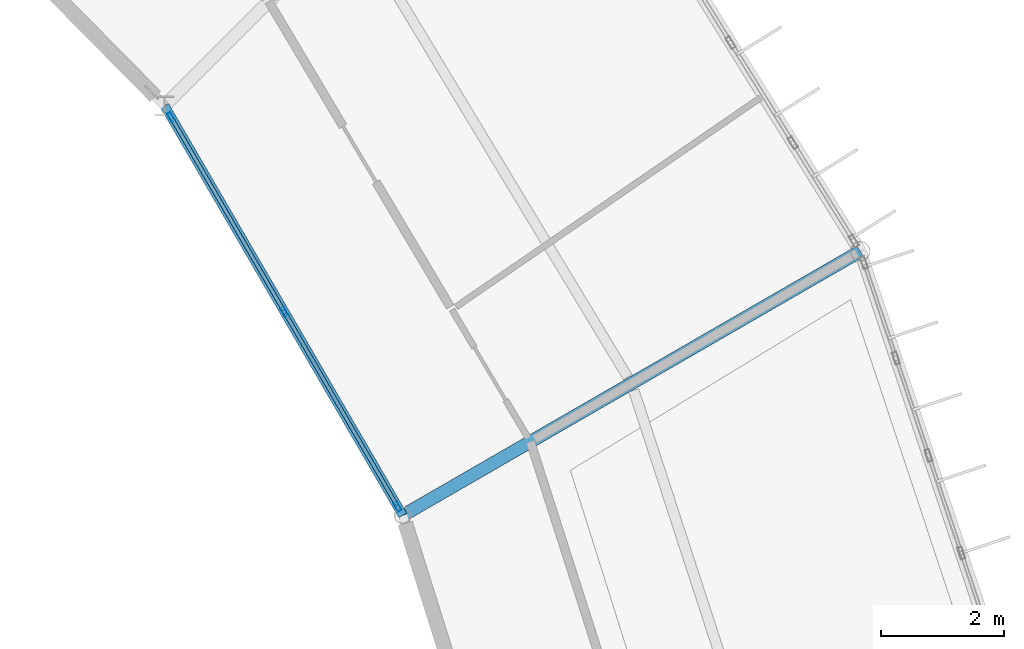
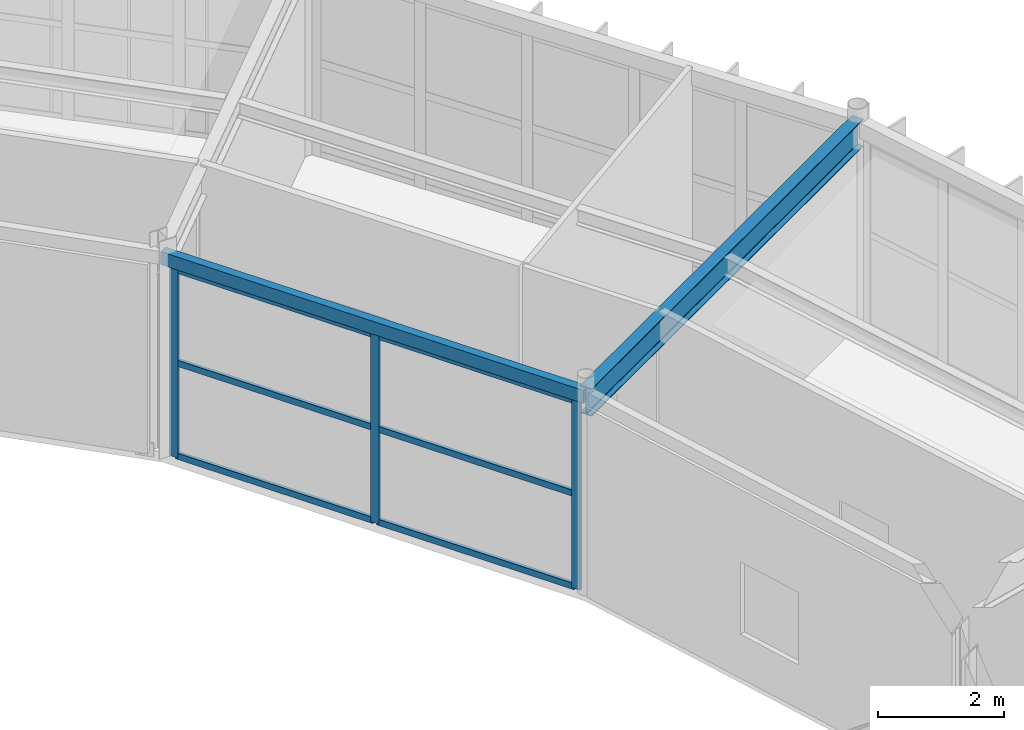
# One storey, part 82 of 148: 9 members, 2 beams, 1 element without a shape of its own.
"""IFC4 building model written with IfcOpenShell, lengths in metres."""

from ifc_helpers import new_model, si_unit, direction, frame, origin, origin_2d, place, context, subcontext, project, spatial, hollow_rectangle, i_section, extrude, material, material_profile, profile_set, type_object, element, aggregate, save


model = new_model("IFC4")

# Units and contexts
model_context = context("Model", 3, precision=1e-05, world=origin(), true_north=direction((0.0, 1.0)))
body_context = subcontext(model_context, "Body", "Model", "MODEL_VIEW")
ifc_project = project(units=[si_unit("LENGTHUNIT", "METRE"), si_unit("AREAUNIT", "SQUARE_METRE"), si_unit("VOLUMEUNIT", "CUBIC_METRE"), si_unit("PLANEANGLEUNIT", "RADIAN"), si_unit("MASSUNIT", "GRAM", prefix="KILO")], contexts=[model_context])

# Site, building, storey
site_placement = place(None, origin())
site = spatial("IfcSite", under=ifc_project, at=site_placement, CompositionType="ELEMENT")
building_placement = place(site_placement, origin())
building = spatial("IfcBuilding", under=site, at=building_placement, Name="Karori Crest Natural Sciences Institute", CompositionType="ELEMENT")
storey_placement = place(building_placement, frame((0.0, 0.0, 4.89990234375)))
storey = spatial("IfcBuildingStorey", under=building, at=storey_placement, Name="L01", CompositionType="ELEMENT", Elevation=4.89990234375)

# Beams
ifc_material_1 = material(Name="Structural steel AS/NZS 3679.1 Grade 350", Category="steel")
ifc_material_profile_1 = material_profile(ifc_material_1, i_section(OverallWidth=0.208984375, OverallDepth=0.532958984375, WebThickness=0.01025390625, FlangeThickness=0.015625, FilletRadius=0.013916015625, at=origin_2d()), Name="530UB92.4")
ifc_profile_set_1 = profile_set([ifc_material_profile_1], Name="Structural steel AS/NZS 3679.1 Grade 350")
beam_type_1 = type_object("IfcBeamType", Name="BT-05", PredefinedType="BEAM", material=ifc_profile_set_1)
beam_1_placement = place(storey_placement, frame((87.531005859375, 66.0, 3.673583984375), z_axis=(0.866021068297, 0.500007509209, 0.0), x_axis=(-0.500007509209, 0.866021068297, 0.0)))
element("IfcBeam", 1, at=beam_1_placement, inside=storey, type_object=beam_type_1, Name="Beam B-0189", PredefinedType="BEAM", context=body_context, shape_type="SweptSolid", body=[
    extrude(i_section(OverallWidth=0.208984375, OverallDepth=0.532958984375, WebThickness=0.01025390625, FlangeThickness=0.015625, FilletRadius=0.013916015625, at=origin_2d()), origin(), (0.0, 0.0, 1.0), 8.599853515625),
])
ifc_material_2 = material(Name="Hollow structural steel AS/NZS 1163 Grade C350", Category="steel")
ifc_material_profile_2 = material_profile(ifc_material_2, hollow_rectangle(XDim=0.14990234375, YDim=0.25, WallThickness=0.009033203125, at=origin_2d()), Name="RHS250x150x9")
ifc_profile_set_2 = profile_set([ifc_material_profile_2], Name="Hollow structural steel AS/NZS 1163 Grade C350")
beam_type_2 = type_object("IfcBeamType", Name="BT-16", PredefinedType="SPANDREL", material=ifc_profile_set_2)
beam_2_placement = place(storey_placement, frame((87.531005859375, 66.0, 3.7900390625), z_axis=(-0.502672163425, 0.864477122958, 0.0), x_axis=(-0.864477122958, -0.502672163425, 0.0)))
element("IfcBeam", 2, at=beam_2_placement, inside=storey, type_object=beam_type_2, Name="Beam B-0188", PredefinedType="SPANDREL", context=body_context, shape_type="SweptSolid", body=[
    extrude(hollow_rectangle(XDim=0.14990234375, YDim=0.25, WallThickness=0.009033203125, at=origin_2d()), origin(), (0.0, 0.0, 1.0), 7.714111328125),
])

# Curtain wall, members
ifc_material_3 = material(Name="Anodised architectural aluminium 6063-T6", Category="aluminium")
curtain_wall_type = type_object("IfcCurtainWallType", Name="CWT-13", PredefinedType="NOTDEFINED", material=ifc_material_3)
curtain_wall_placement = place(storey_placement, origin())
curtain_wall = element("IfcCurtainWall", 3, at=curtain_wall_placement, inside=storey, type_object=curtain_wall_type, Name="Curtain wall CW-0034", PredefinedType="NOTDEFINED")
ifc_material_profile_3 = material_profile(ifc_material_3, hollow_rectangle(XDim=0.06494140625, YDim=0.159912109375, WallThickness=0.00390625, at=origin_2d()), Name="CWM160x65x4")
ifc_profile_set_3 = profile_set([ifc_material_profile_3], Name="Anodised architectural aluminium 6063-T6")
member_type_1 = type_object("IfcMemberType", Name="CWM-01", PredefinedType="MULLION", material=ifc_profile_set_3)
member_1_placement = place(storey_placement, frame((87.447021484375, 66.144287109375, 0.0), z_axis=(0.0, 0.0, 1.0), x_axis=(-0.864484379326, -0.502659683982, 0.0)))
member_1 = element("IfcMember", 4, at=member_1_placement, type_object=member_type_1, Name="CW-0034 mullion 1", PredefinedType="MULLION", context=body_context, shape_type="SweptSolid", body=[
    extrude(hollow_rectangle(XDim=0.06494140625, YDim=0.159912109375, WallThickness=0.00390625, at=origin_2d()), origin(), (0.0, 0.0, 1.0), 3.650146484375),
])
member_2_placement = place(storey_placement, frame((85.603759765625, 69.314697265625, 0.0), z_axis=(0.0, 0.0, 1.0), x_axis=(-0.864484379326, -0.502659683982, 0.0)))
member_2 = element("IfcMember", 5, at=member_2_placement, type_object=member_type_1, Name="CW-0034 mullion 2", PredefinedType="MULLION", context=body_context, shape_type="SweptSolid", body=[
    extrude(hollow_rectangle(XDim=0.06494140625, YDim=0.159912109375, WallThickness=0.00390625, at=origin_2d()), origin(), (0.0, 0.0, 1.0), 3.650146484375),
])
member_3_placement = place(storey_placement, frame((83.76025390625, 72.48486328125, 0.0), z_axis=(0.0, 0.0, 1.0), x_axis=(-0.864484379326, -0.502659683982, 0.0)))
member_3 = element("IfcMember", 6, at=member_3_placement, type_object=member_type_1, Name="CW-0034 mullion 3", PredefinedType="MULLION", context=body_context, shape_type="SweptSolid", body=[
    extrude(hollow_rectangle(XDim=0.06494140625, YDim=0.159912109375, WallThickness=0.00390625, at=origin_2d()), origin(), (0.0, 0.0, 1.0), 3.650146484375),
])
ifc_material_profile_4 = material_profile(ifc_material_3, hollow_rectangle(XDim=0.06005859375, YDim=0.1201171875, WallThickness=0.00390625, at=origin_2d()), Name="CWT120x60x4")
ifc_profile_set_4 = profile_set([ifc_material_profile_4], Name="Anodised architectural aluminium 6063-T6")
member_type_2 = type_object("IfcMemberType", Name="CWT-TR1", PredefinedType="USERDEFINED", material=ifc_profile_set_4)
member_4_placement = place(storey_placement, frame((87.4306640625, 66.172607421875, 0.030029296875), z_axis=(-0.502635771548, 0.864498282914, 0.0), x_axis=(-0.864498282914, -0.502635771548, 0.0)))
member_4 = element("IfcMember", 7, at=member_4_placement, type_object=member_type_2, Name="CW-0034 transom 1.1", ObjectType="TRANSOM", PredefinedType="USERDEFINED", context=body_context, shape_type="SweptSolid", body=[
    extrude(hollow_rectangle(XDim=0.06005859375, YDim=0.1201171875, WallThickness=0.00390625, at=origin_2d()), origin(), (0.0, 0.0, 1.0), 3.60205078125),
])
member_5_placement = place(storey_placement, frame((87.4306640625, 66.172607421875, 1.8251953125), z_axis=(-0.502635771548, 0.864498282914, 0.0), x_axis=(-0.864498282914, -0.502635771548, 0.0)))
member_5 = element("IfcMember", 8, at=member_5_placement, type_object=member_type_2, Name="CW-0034 transom 1.2", ObjectType="TRANSOM", PredefinedType="USERDEFINED", context=body_context, shape_type="SweptSolid", body=[
    extrude(hollow_rectangle(XDim=0.06005859375, YDim=0.1201171875, WallThickness=0.00390625, at=origin_2d()), origin(), (0.0, 0.0, 1.0), 3.60205078125),
])
member_6_placement = place(storey_placement, frame((87.4306640625, 66.172607421875, 3.6201171875), z_axis=(-0.502635771548, 0.864498282914, 0.0), x_axis=(-0.864498282914, -0.502635771548, 0.0)))
member_6 = element("IfcMember", 9, at=member_6_placement, type_object=member_type_2, Name="CW-0034 transom 1.3", ObjectType="TRANSOM", PredefinedType="USERDEFINED", context=body_context, shape_type="SweptSolid", body=[
    extrude(hollow_rectangle(XDim=0.06005859375, YDim=0.1201171875, WallThickness=0.00390625, at=origin_2d()), origin(), (0.0, 0.0, 1.0), 3.60205078125),
])
member_7_placement = place(storey_placement, frame((85.58740234375, 69.3427734375, 0.030029296875), z_axis=(-0.502686422749, 0.864468831355, 0.0), x_axis=(-0.864468831355, -0.502686422749, 0.0)))
member_7 = element("IfcMember", 10, at=member_7_placement, type_object=member_type_2, Name="CW-0034 transom 2.1", ObjectType="TRANSOM", PredefinedType="USERDEFINED", context=body_context, shape_type="SweptSolid", body=[
    extrude(hollow_rectangle(XDim=0.06005859375, YDim=0.1201171875, WallThickness=0.00390625, at=origin_2d()), origin(), (0.0, 0.0, 1.0), 3.602294921875),
])
member_8_placement = place(storey_placement, frame((85.58740234375, 69.3427734375, 1.8251953125), z_axis=(-0.502686422749, 0.864468831355, 0.0), x_axis=(-0.864468831355, -0.502686422749, 0.0)))
member_8 = element("IfcMember", 11, at=member_8_placement, type_object=member_type_2, Name="CW-0034 transom 2.2", ObjectType="TRANSOM", PredefinedType="USERDEFINED", context=body_context, shape_type="SweptSolid", body=[
    extrude(hollow_rectangle(XDim=0.06005859375, YDim=0.1201171875, WallThickness=0.00390625, at=origin_2d()), origin(), (0.0, 0.0, 1.0), 3.602294921875),
])
member_9_placement = place(storey_placement, frame((85.58740234375, 69.3427734375, 3.6201171875), z_axis=(-0.502686422749, 0.864468831355, 0.0), x_axis=(-0.864468831355, -0.502686422749, 0.0)))
member_9 = element("IfcMember", 12, at=member_9_placement, type_object=member_type_2, Name="CW-0034 transom 2.3", ObjectType="TRANSOM", PredefinedType="USERDEFINED", context=body_context, shape_type="SweptSolid", body=[
    extrude(hollow_rectangle(XDim=0.06005859375, YDim=0.1201171875, WallThickness=0.00390625, at=origin_2d()), origin(), (0.0, 0.0, 1.0), 3.602294921875),
])
aggregate(curtain_wall, [member_1, member_2, member_3, member_4, member_5, member_6, member_7, member_8, member_9])

save(model, "model.ifc")
